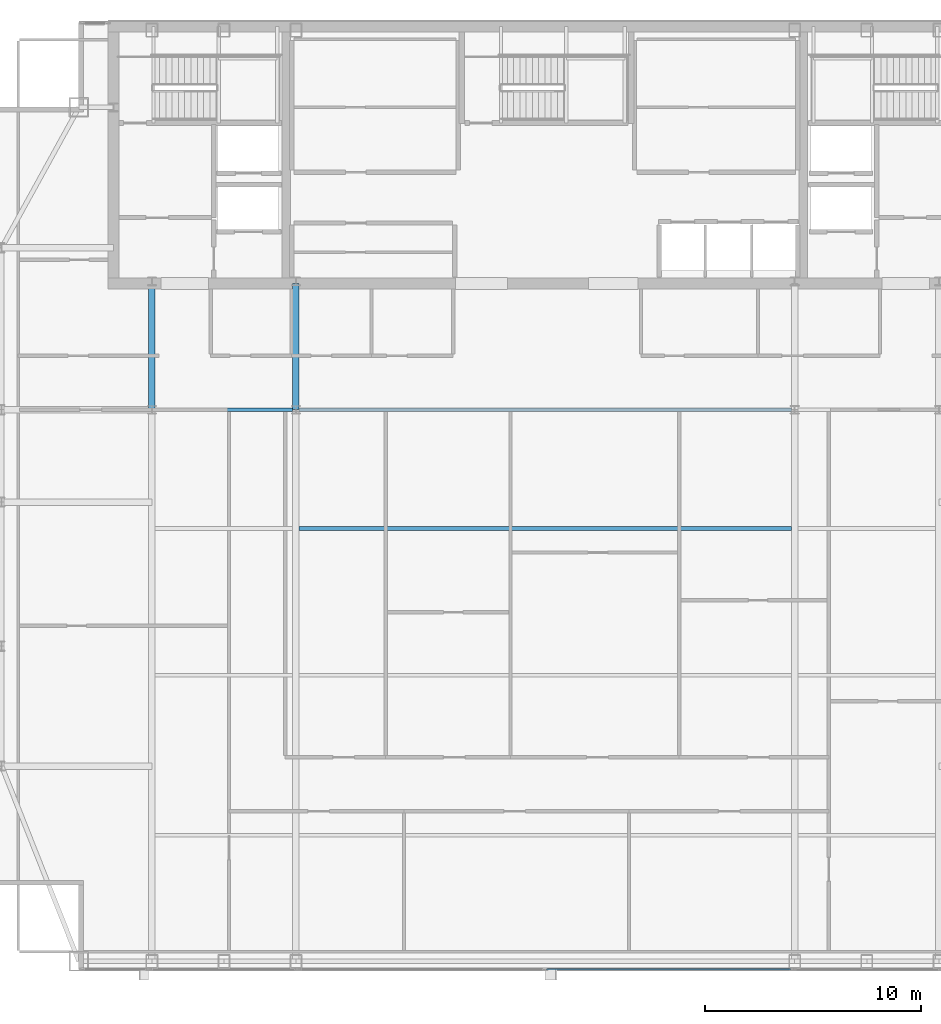
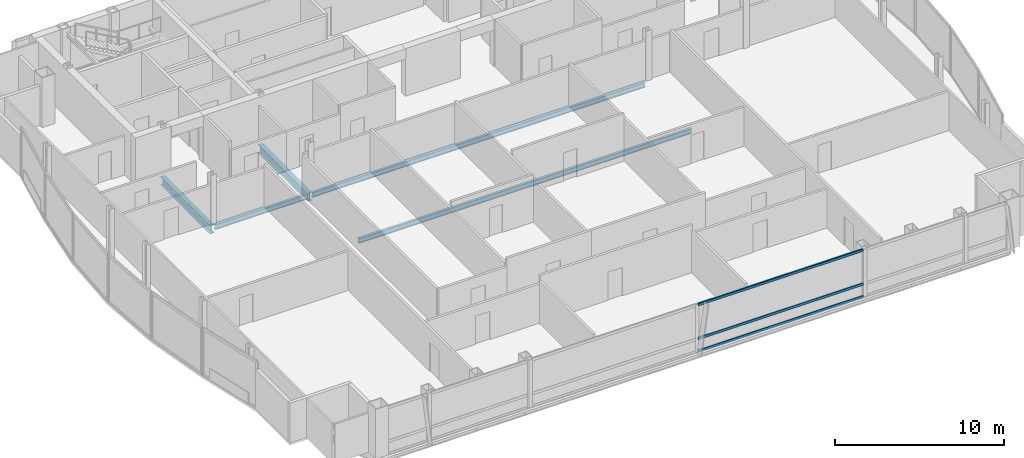
# One storey, part 13 of 29: 5 beams, 3 members, 1 element without a shape of its own.
"""IFC4 building model written with IfcOpenShell, lengths in metres."""

from ifc_helpers import new_model, si_unit, direction, frame, origin, origin_2d, place, context, subcontext, project, spatial, hollow_rectangle, i_section, extrude, material, material_profile, profile_set, type_object, element, aggregate, save


model = new_model("IFC4")

# Units and contexts
model_context = context("Model", 3, precision=1e-05, world=origin(), true_north=direction((0.0, 1.0)))
body_context = subcontext(model_context, "Body", "Model", "MODEL_VIEW")
ifc_project = project(units=[si_unit("LENGTHUNIT", "METRE"), si_unit("AREAUNIT", "SQUARE_METRE"), si_unit("VOLUMEUNIT", "CUBIC_METRE"), si_unit("PLANEANGLEUNIT", "RADIAN"), si_unit("MASSUNIT", "GRAM", prefix="KILO")], contexts=[model_context])

# Site, building, storey
site_placement = place(None, origin())
site = spatial("IfcSite", under=ifc_project, at=site_placement, CompositionType="ELEMENT")
building_placement = place(site_placement, origin())
building = spatial("IfcBuilding", under=site, at=building_placement, Name="Khoronbel Lancet Exchange", CompositionType="ELEMENT")
storey_placement = place(building_placement, frame((0.0, 0.0, 318.199951171875)))
storey = spatial("IfcBuildingStorey", under=building, at=storey_placement, Name="L82", CompositionType="ELEMENT", Elevation=318.199951171875)

# Beams
ifc_material_1 = material(Name="Steel S355", Category="steel")
ifc_material_profile_1 = material_profile(ifc_material_1, i_section(OverallWidth=0.300048828125, OverallDepth=0.60009765625, WebThickness=0.015380859375, FlangeThickness=0.030029296875, at=origin_2d()), Name="HEB 600")
ifc_profile_set_1 = profile_set([ifc_material_profile_1], Name="Steel S355")
beam_type_1 = type_object("IfcBeamType", Name="BM-BG5", PredefinedType="BEAM", material=ifc_profile_set_1)
for number, where, z_axis, x_axis, name in (
    (1, (18.22509765625, 35.699951171875, -0.4599609375), (0.0, 1.0, 0.0), (-1.0, 0.0, 0.0), "Level L82 spine tie girder GN1"),
    (2, (24.89990234375, 35.699951171875, -0.4599609375), (0.0, 1.0, 0.0), (-1.0, 0.0, 0.0), "Level L82 spine tie girder GN2"),
):
    element("IfcBeam", number, at=place(storey_placement, frame(where, z_axis=z_axis, x_axis=x_axis)), inside=storey, type_object=beam_type_1, Name=name, PredefinedType="BEAM", context=body_context, shape_type="SweptSolid", body=[
        extrude(i_section(OverallWidth=0.300048828125, OverallDepth=0.60009765625, WebThickness=0.015380859375, FlangeThickness=0.030029296875, at=origin_2d()), origin(), (0.0, 0.0, 1.0), 5.85009765625),
    ])
ifc_material_profile_2 = material_profile(ifc_material_1, i_section(OverallWidth=0.169921875, OverallDepth=0.360107421875, WebThickness=0.008056640625, FlangeThickness=0.0126953125, at=origin_2d()), Name="IPE 360")
ifc_profile_set_2 = profile_set([ifc_material_profile_2], Name="Steel S355")
beam_type_2 = type_object("IfcBeamType", Name="BM-BJ6", PredefinedType="JOIST", material=ifc_profile_set_2)
beam_1_placement = place(storey_placement, frame((25.050048828125, 30.199951171875, -0.33984375), z_axis=(1.0, 0.0, 0.0), x_axis=(0.0, 1.0, 0.0)))
element("IfcBeam", 3, at=beam_1_placement, inside=storey, type_object=beam_type_2, Name="Level L82 secondary composite joist J08", PredefinedType="JOIST", context=body_context, shape_type="SweptSolid", body=[
    extrude(i_section(OverallWidth=0.169921875, OverallDepth=0.360107421875, WebThickness=0.008056640625, FlangeThickness=0.0126953125, at=origin_2d()), origin(), (0.0, 0.0, 1.0), 22.800048828125),
])
beam_2_placement = place(storey_placement, frame((18.375, 35.699951171875, -0.33984375), z_axis=(1.0, 0.0, 0.0), x_axis=(0.0, 1.0, 0.0)))
element("IfcBeam", 4, at=beam_2_placement, inside=storey, type_object=beam_type_2, Name="Level L82 secondary composite joist J10", PredefinedType="JOIST", context=body_context, shape_type="SweptSolid", body=[
    extrude(i_section(OverallWidth=0.169921875, OverallDepth=0.360107421875, WebThickness=0.008056640625, FlangeThickness=0.0126953125, at=origin_2d()), origin(), (0.0, 0.0, 1.0), 6.375),
])
beam_3_placement = place(storey_placement, frame((25.050048828125, 35.699951171875, -0.33984375), z_axis=(1.0, 0.0, 0.0), x_axis=(0.0, 1.0, 0.0)))
element("IfcBeam", 5, at=beam_3_placement, inside=storey, type_object=beam_type_2, Name="Level L82 secondary composite joist J11", PredefinedType="JOIST", context=body_context, shape_type="SweptSolid", body=[
    extrude(i_section(OverallWidth=0.169921875, OverallDepth=0.360107421875, WebThickness=0.008056640625, FlangeThickness=0.0126953125, at=origin_2d()), origin(), (0.0, 0.0, 1.0), 22.800048828125),
])

# Curtain wall, members
ifc_material_2 = material(Name="Low-E Solar Control Insulating Glass", Category="glass")
curtain_wall_type = type_object("IfcCurtainWallType", Name="CW-3", PredefinedType="NOTDEFINED", material=ifc_material_2)
curtain_wall_placement = place(storey_placement, origin())
curtain_wall = element("IfcCurtainWall", 6, at=curtain_wall_placement, inside=storey, type_object=curtain_wall_type, Name="Unitised curtain wall CW-L82-SCV", PredefinedType="NOTDEFINED")
ifc_material_3 = material(Name="Bronze-Anodised Aluminium 6063-T6", Category="aluminium")
ifc_material_profile_3 = material_profile(ifc_material_3, hollow_rectangle(XDim=0.0849609375, YDim=0.179931640625, WallThickness=0.0048828125, at=origin_2d()), Name="ALU TRANSOM 85x180")
ifc_profile_set_3 = profile_set([ifc_material_profile_3], Name="Bronze-Anodised Aluminium 6063-T6")
member_type = type_object("IfcMemberType", Name="MEM-CWT1", PredefinedType="USERDEFINED", material=ifc_profile_set_3)
member_1_placement = place(storey_placement, frame((36.492431640625, 9.7900390625, 0.04248046875), z_axis=(1.0, 0.0, 0.0), x_axis=(0.0, 1.0, 0.0)))
member_1 = element("IfcMember", 7, at=member_1_placement, type_object=member_type, Name="CW3 transom 2.1", ObjectType="TRANSOM", PredefinedType="USERDEFINED", context=body_context, shape_type="SweptSolid", body=[
    extrude(hollow_rectangle(XDim=0.0849609375, YDim=0.179931640625, WallThickness=0.0048828125, at=origin_2d()), origin(), (0.0, 0.0, 1.0), 11.322509765625),
])
member_2_placement = place(storey_placement, frame((36.492431640625, 9.7900390625, 0.949951171875), z_axis=(1.0, 0.0, 0.0), x_axis=(0.0, 1.0, 0.0)))
member_2 = element("IfcMember", 8, at=member_2_placement, type_object=member_type, Name="CW3 transom 2.2", ObjectType="TRANSOM", PredefinedType="USERDEFINED", context=body_context, shape_type="SweptSolid", body=[
    extrude(hollow_rectangle(XDim=0.0849609375, YDim=0.179931640625, WallThickness=0.0048828125, at=origin_2d()), origin(), (0.0, 0.0, 1.0), 11.322509765625),
])
member_3_placement = place(storey_placement, frame((36.492431640625, 9.7900390625, 3.3974609375), z_axis=(1.0, 0.0, 0.0), x_axis=(0.0, 1.0, 0.0)))
member_3 = element("IfcMember", 9, at=member_3_placement, type_object=member_type, Name="CW3 transom 2.3", ObjectType="TRANSOM", PredefinedType="USERDEFINED", context=body_context, shape_type="SweptSolid", body=[
    extrude(hollow_rectangle(XDim=0.0849609375, YDim=0.179931640625, WallThickness=0.0048828125, at=origin_2d()), origin(), (0.0, 0.0, 1.0), 11.322509765625),
])
aggregate(curtain_wall, [member_1, member_2, member_3])

save(model, "model.ifc")
